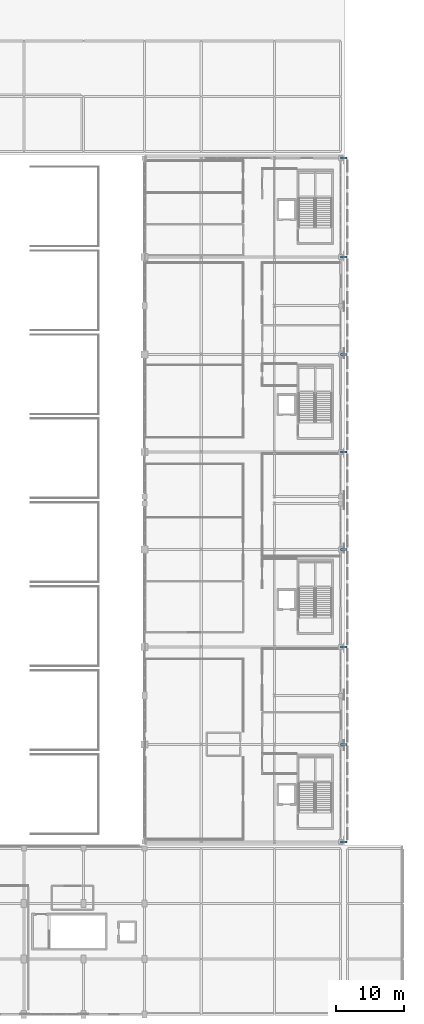
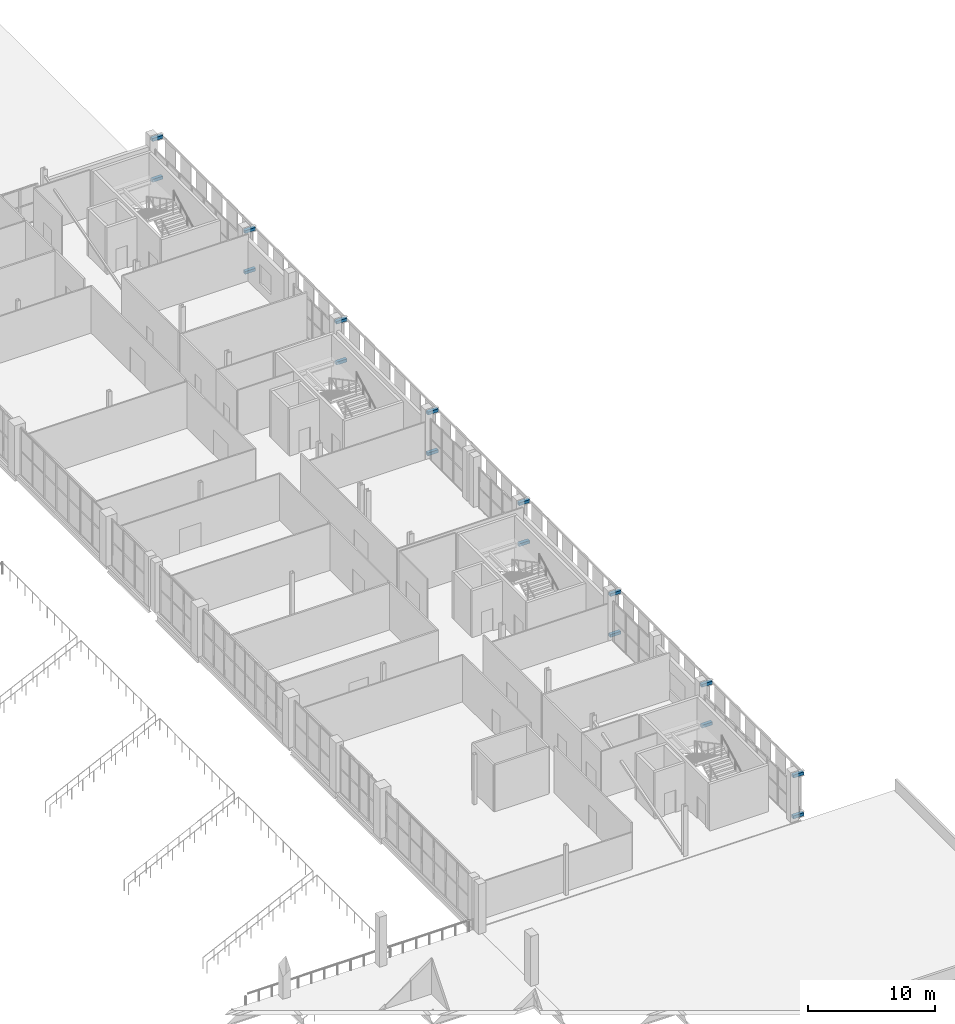
# One storey, part 76 of 104: 16 discrete accessories.
"""IFC4 building model written with IfcOpenShell, lengths in metres."""

from ifc_helpers import new_model, si_unit, direction, frame, origin, origin_2d, place, context, subcontext, project, spatial, rectangle, extrude, material, type_object, element, save


model = new_model("IFC4")

# Units and contexts
model_context = context("Model", 3, precision=1e-05, world=origin(), true_north=direction((0.0, 1.0)))
body_context = subcontext(model_context, "Body", "Model", "MODEL_VIEW")
ifc_project = project(units=[si_unit("LENGTHUNIT", "METRE"), si_unit("AREAUNIT", "SQUARE_METRE"), si_unit("VOLUMEUNIT", "CUBIC_METRE"), si_unit("PLANEANGLEUNIT", "RADIAN"), si_unit("MASSUNIT", "GRAM", prefix="KILO")], contexts=[model_context])

# Site, building, storey
site_placement = place(None, origin())
site = spatial("IfcSite", under=ifc_project, at=site_placement, CompositionType="ELEMENT")
building_placement = place(site_placement, origin())
building = spatial("IfcBuilding", under=site, at=building_placement, Name="Koshinbarg Plaza Stadium", CompositionType="ELEMENT")
storey_placement = place(building_placement, frame((0.0, 0.0, 19.800048828125)))
storey = spatial("IfcBuildingStorey", under=building, at=storey_placement, Name="L04", CompositionType="ELEMENT", Elevation=19.800048828125)

# Discrete accessories
ifc_material = material(Name="Galvanized steel facade support bracket", Category="steel")
discrete_accessory_type = type_object("IfcDiscreteAccessoryType", Name="ACC-BRACKET-01", PredefinedType="BRACKET", material=ifc_material)
for number, where, z_axis, x_axis, name in (
    (1, (218.8798828125, 25.5, 0.10986328125), (0.0, 0.0, 1.0), (1.0, 0.0, 0.0), "Outer screen support bracket E-L04-Y01"),
    (2, (218.8798828125, 25.5, 4.0400390625), (0.0, 0.0, 1.0), (1.0, 0.0, 0.0), "Outer screen support bracket E-L04-Y01"),
    (3, (218.8798828125, 39.89990234375, 0.10986328125), (0.0, 0.0, 1.0), (1.0, 0.0, 0.0), "Outer screen support bracket E-L04-Y02"),
    (4, (218.8798828125, 39.89990234375, 4.0400390625), (0.0, 0.0, 1.0), (1.0, 0.0, 0.0), "Outer screen support bracket E-L04-Y02"),
    (5, (218.8798828125, 54.300048828125, 0.10986328125), (0.0, 0.0, 1.0), (1.0, 0.0, 0.0), "Outer screen support bracket E-L04-Y03"),
    (6, (218.8798828125, 54.300048828125, 4.0400390625), (0.0, 0.0, 1.0), (1.0, 0.0, 0.0), "Outer screen support bracket E-L04-Y03"),
    (7, (218.8798828125, 68.699951171875, 0.10986328125), (0.0, 0.0, 1.0), (1.0, 0.0, 0.0), "Outer screen support bracket E-L04-Y04"),
    (8, (218.8798828125, 68.699951171875, 4.0400390625), (0.0, 0.0, 1.0), (1.0, 0.0, 0.0), "Outer screen support bracket E-L04-Y04"),
    (9, (218.8798828125, 83.10009765625, 0.10986328125), (0.0, 0.0, 1.0), (1.0, 0.0, 0.0), "Outer screen support bracket E-L04-Y05"),
    (10, (218.8798828125, 83.10009765625, 4.0400390625), (0.0, 0.0, 1.0), (1.0, 0.0, 0.0), "Outer screen support bracket E-L04-Y05"),
    (11, (218.8798828125, 97.5, 0.10986328125), (0.0, 0.0, 1.0), (1.0, 0.0, 0.0), "Outer screen support bracket E-L04-Y06"),
    (12, (218.8798828125, 97.5, 4.0400390625), (0.0, 0.0, 1.0), (1.0, 0.0, 0.0), "Outer screen support bracket E-L04-Y06"),
    (13, (218.8798828125, 111.89990234375, 0.10986328125), (0.0, 0.0, 1.0), (1.0, 0.0, 0.0), "Outer screen support bracket E-L04-Y07"),
    (14, (218.8798828125, 111.89990234375, 4.0400390625), (0.0, 0.0, 1.0), (1.0, 0.0, 0.0), "Outer screen support bracket E-L04-Y07"),
    (15, (218.8798828125, 126.5, 0.10986328125), (0.0, 0.0, 1.0), (1.0, 0.0, 0.0), "Outer screen support bracket E-L04-Y08"),
    (16, (218.8798828125, 126.5, 4.0400390625), (0.0, 0.0, 1.0), (1.0, 0.0, 0.0), "Outer screen support bracket E-L04-Y08"),
):
    element("IfcDiscreteAccessory", number, at=place(storey_placement, frame(where, z_axis=z_axis, x_axis=x_axis)), inside=storey, type_object=discrete_accessory_type, Name=name, PredefinedType="BRACKET", context=body_context, shape_type="SweptSolid", body=[
        extrude(rectangle(XDim=0.9599609375, YDim=0.300048828125, at=origin_2d()), origin(), (0.0, 0.0, 1.0), 0.280029296875),
    ])

save(model, "model.ifc")
